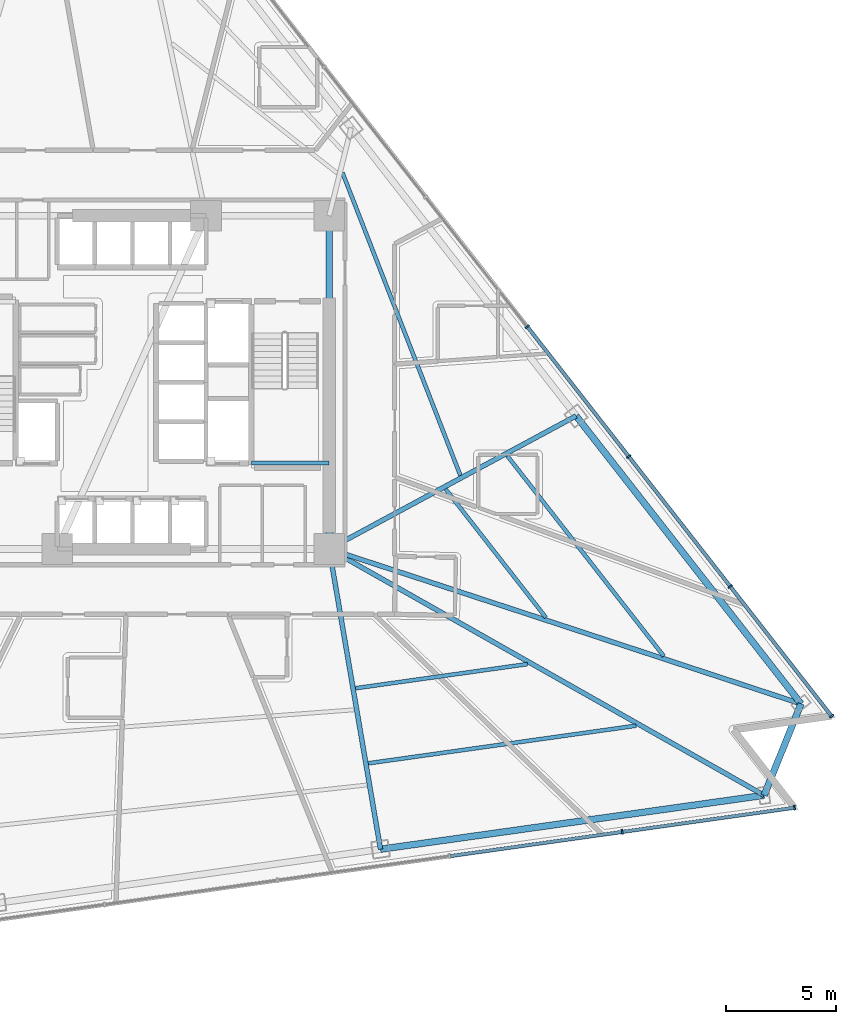
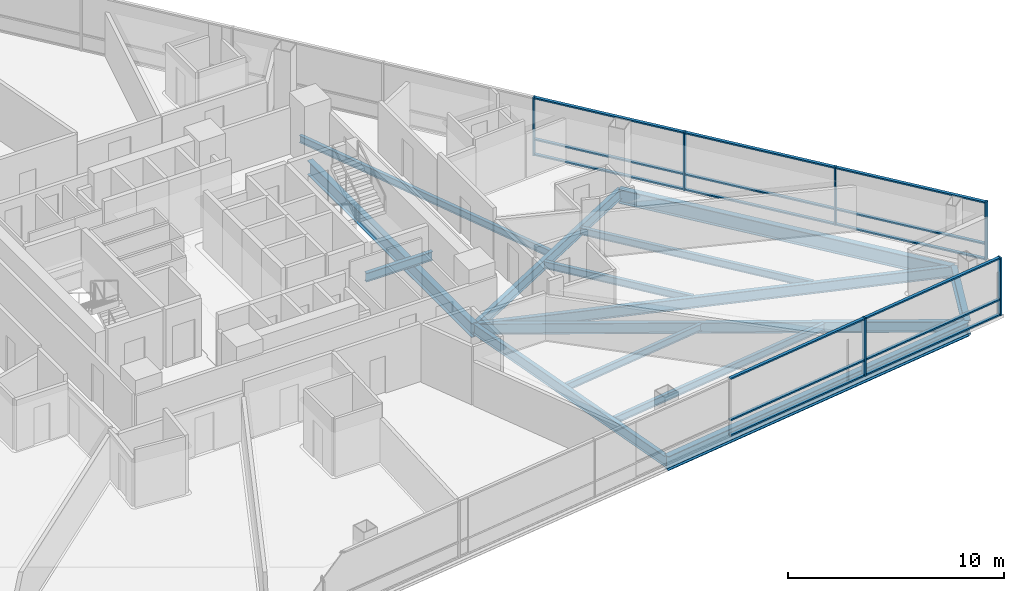
# One storey, part 4 of 16: 21 members, 14 beams, 2 elements without a shape of their own.
"""IFC4 building model written with IfcOpenShell, lengths in metres."""

from ifc_helpers import new_model, si_unit, direction, frame, origin, origin_2d, place, context, subcontext, project, spatial, rectangle, i_section, extrude, material, layer, layer_set, material_profile, profile_set, type_object, element, aggregate, save


model = new_model("IFC4")

# Units and contexts
model_context = context("Model", 3, precision=1e-05, world=origin(), true_north=direction((0.0, 1.0)))
body_context = subcontext(model_context, "Body", "Model", "MODEL_VIEW")
ifc_project = project(units=[si_unit("LENGTHUNIT", "METRE"), si_unit("AREAUNIT", "SQUARE_METRE"), si_unit("VOLUMEUNIT", "CUBIC_METRE"), si_unit("PLANEANGLEUNIT", "RADIAN"), si_unit("MASSUNIT", "GRAM", prefix="KILO")], contexts=[model_context])

# Site, building, storey
site_placement = place(None, origin())
site = spatial("IfcSite", under=ifc_project, at=site_placement, CompositionType="ELEMENT")
building_placement = place(site_placement, origin())
building = spatial("IfcBuilding", under=site, at=building_placement, Name="Tharavind Bronze Gate", CompositionType="ELEMENT")
storey_placement = place(building_placement, frame((0.0, 0.0, 70.75)))
storey = spatial("IfcBuildingStorey", under=building, at=storey_placement, Name="L17", CompositionType="ELEMENT", Elevation=70.75)

# Curtain wall, members
ifc_material_1 = material(Name="Anodised Bronze Aluminium", Category="aluminium")
ifc_layer = layer(ifc_material_1, 0.219970703125)
ifc_layer_set = layer_set([ifc_layer], Name="Anodised Bronze Aluminium")
curtain_wall_type = type_object("IfcCurtainWallType", Name="UNITISED CURTAIN WALL HOTEL", PredefinedType="USERDEFINED", material=ifc_layer_set)
curtain_wall_1_placement = place(storey_placement, origin())
curtain_wall_1 = element("IfcCurtainWall", 1, at=curtain_wall_1_placement, inside=storey, type_object=curtain_wall_type, Name="L17 unitised curtain wall hotel CW-L17-S2", ObjectType="UNITISED CURTAIN WALL", PredefinedType="USERDEFINED")
member_type_1 = type_object("IfcMemberType", Name="CURTAIN WALL MULLION 80X220", PredefinedType="MULLION", material=ifc_material_1)
member_1_placement = place(storey_placement, frame((22.261474609375, -20.504638671875, 0.0), z_axis=(0.0, 0.0, 1.0), x_axis=(0.990268068742, 0.13917310096, 0.0)))
member_1 = element("IfcMember", 2, at=member_1_placement, type_object=member_type_1, Name="CW-L17-S2 mullion 7", PredefinedType="MULLION", context=body_context, shape_type="SweptSolid", body=[
    extrude(rectangle(XDim=0.080078125, YDim=0.219970703125, at=origin_2d()), origin(), (0.0, 0.0, 1.0), 3.27490234375),
])
member_2_placement = place(storey_placement, frame((30.127685546875, -19.399169921875, 0.0), z_axis=(0.0, 0.0, 1.0), x_axis=(0.990268068742, 0.13917310096, 0.0)))
member_2 = element("IfcMember", 3, at=member_2_placement, type_object=member_type_1, Name="CW-L17-S2 mullion 8", PredefinedType="MULLION", context=body_context, shape_type="SweptSolid", body=[
    extrude(rectangle(XDim=0.080078125, YDim=0.219970703125, at=origin_2d()), origin(), (0.0, 0.0, 1.0), 3.27490234375),
])

curtain_wall_2_placement = place(storey_placement, origin())
curtain_wall_2 = element("IfcCurtainWall", 4, at=curtain_wall_2_placement, inside=storey, type_object=curtain_wall_type, Name="L17 unitised curtain wall hotel CW-L17-S3", ObjectType="UNITISED CURTAIN WALL", PredefinedType="USERDEFINED")
member_3_placement = place(storey_placement, frame((31.8134765625, -15.226806640625, 0.0), z_axis=(0.0, 0.0, 1.0), x_axis=(-0.615661475326, 0.788010753607, 0.0)))
member_3 = element("IfcMember", 5, at=member_3_placement, type_object=member_type_1, Name="CW-L17-S3 mullion 1", PredefinedType="MULLION", context=body_context, shape_type="SweptSolid", body=[
    extrude(rectangle(XDim=0.080078125, YDim=0.219970703125, at=origin_2d()), origin(), (0.0, 0.0, 1.0), 3.27490234375),
])
member_4_placement = place(storey_placement, frame((27.186767578125, -9.3046875, 0.0), z_axis=(0.0, 0.0, 1.0), x_axis=(-0.615661475326, 0.788010753607, 0.0)))
member_4 = element("IfcMember", 6, at=member_4_placement, type_object=member_type_1, Name="CW-L17-S3 mullion 2", PredefinedType="MULLION", context=body_context, shape_type="SweptSolid", body=[
    extrude(rectangle(XDim=0.080078125, YDim=0.219970703125, at=origin_2d()), origin(), (0.0, 0.0, 1.0), 3.27490234375),
])
member_5_placement = place(storey_placement, frame((22.56005859375, -3.3828125, 0.0), z_axis=(0.0, 0.0, 1.0), x_axis=(-0.615661475326, 0.788010753607, 0.0)))
member_5 = element("IfcMember", 7, at=member_5_placement, type_object=member_type_1, Name="CW-L17-S3 mullion 3", PredefinedType="MULLION", context=body_context, shape_type="SweptSolid", body=[
    extrude(rectangle(XDim=0.080078125, YDim=0.219970703125, at=origin_2d()), origin(), (0.0, 0.0, 1.0), 3.27490234375),
])
member_6_placement = place(storey_placement, frame((17.933349609375, 2.5390625, 0.0), z_axis=(0.0, 0.0, 1.0), x_axis=(-0.615661475326, 0.788010753607, 0.0)))
member_6 = element("IfcMember", 8, at=member_6_placement, type_object=member_type_1, Name="CW-L17-S3 mullion 4", PredefinedType="MULLION", context=body_context, shape_type="SweptSolid", body=[
    extrude(rectangle(XDim=0.080078125, YDim=0.219970703125, at=origin_2d()), origin(), (0.0, 0.0, 1.0), 3.27490234375),
])

# Member
member_type_2 = type_object("IfcMemberType", Name="CURTAIN WALL TRANSOM 80X160", PredefinedType="USERDEFINED", material=ifc_material_1)
member_7_placement = place(storey_placement, frame((18.328369140625, -21.057373046875, 0.0), z_axis=(0.0, 0.0, 1.0), x_axis=(0.990268068742, 0.13917310096, 0.0)))
member_7 = element("IfcMember", 9, at=member_7_placement, type_object=member_type_2, Name="CW-L17-S2 transom TB6", ObjectType="TRANSOM", PredefinedType="USERDEFINED", context=body_context, shape_type="SweptSolid", body=[
    extrude(rectangle(XDim=7.87548828125, YDim=0.159912109375, at=origin_2d()), origin(), (0.0, 0.0, 1.0), 0.080078125),
])

member_8_placement = place(storey_placement, frame((18.328369140625, -21.057373046875, 0.85986328125), z_axis=(0.0, 0.0, 1.0), x_axis=(0.990268068742, 0.13917310096, 0.0)))
member_8 = element("IfcMember", 10, at=member_8_placement, type_object=member_type_2, Name="CW-L17-S2 transom TS6", ObjectType="TRANSOM", PredefinedType="USERDEFINED", context=body_context, shape_type="SweptSolid", body=[
    extrude(rectangle(XDim=7.87548828125, YDim=0.159912109375, at=origin_2d()), origin(), (0.0, 0.0, 1.0), 0.080078125),
])

member_9_placement = place(storey_placement, frame((18.328369140625, -21.057373046875, 3.195068359375), z_axis=(0.0, 0.0, 1.0), x_axis=(0.990268068742, 0.13917310096, 0.0)))
member_9 = element("IfcMember", 11, at=member_9_placement, type_object=member_type_2, Name="CW-L17-S2 transom TT6", ObjectType="TRANSOM", PredefinedType="USERDEFINED", context=body_context, shape_type="SweptSolid", body=[
    extrude(rectangle(XDim=7.87548828125, YDim=0.159912109375, at=origin_2d()), origin(), (0.0, 0.0, 1.0), 0.080078125),
])

member_10_placement = place(storey_placement, frame((26.194580078125, -19.951904296875, 0.0), z_axis=(0.0, 0.0, 1.0), x_axis=(0.990268068742, 0.13917310096, 0.0)))
member_10 = element("IfcMember", 12, at=member_10_placement, type_object=member_type_2, Name="CW-L17-S2 transom TB7", ObjectType="TRANSOM", PredefinedType="USERDEFINED", context=body_context, shape_type="SweptSolid", body=[
    extrude(rectangle(XDim=7.87548828125, YDim=0.159912109375, at=origin_2d()), origin(), (0.0, 0.0, 1.0), 0.080078125),
])

member_11_placement = place(storey_placement, frame((26.194580078125, -19.951904296875, 0.85986328125), z_axis=(0.0, 0.0, 1.0), x_axis=(0.990268068742, 0.13917310096, 0.0)))
member_11 = element("IfcMember", 13, at=member_11_placement, type_object=member_type_2, Name="CW-L17-S2 transom TS7", ObjectType="TRANSOM", PredefinedType="USERDEFINED", context=body_context, shape_type="SweptSolid", body=[
    extrude(rectangle(XDim=7.87548828125, YDim=0.159912109375, at=origin_2d()), origin(), (0.0, 0.0, 1.0), 0.080078125),
])

member_12_placement = place(storey_placement, frame((26.194580078125, -19.951904296875, 3.195068359375), z_axis=(0.0, 0.0, 1.0), x_axis=(0.990268068742, 0.13917310096, 0.0)))
member_12 = element("IfcMember", 14, at=member_12_placement, type_object=member_type_2, Name="CW-L17-S2 transom TT7", ObjectType="TRANSOM", PredefinedType="USERDEFINED", context=body_context, shape_type="SweptSolid", body=[
    extrude(rectangle(XDim=7.87548828125, YDim=0.159912109375, at=origin_2d()), origin(), (0.0, 0.0, 1.0), 0.080078125),
])

aggregate(curtain_wall_1, [member_1, member_2, member_7, member_8, member_9, member_10, member_11, member_12])

member_13_placement = place(storey_placement, frame((29.5, -12.265869140625, 0.0), z_axis=(0.0, 0.0, 1.0), x_axis=(-0.615661475326, 0.788010753607, 0.0)))
member_13 = element("IfcMember", 15, at=member_13_placement, type_object=member_type_2, Name="CW-L17-S3 transom TB1", ObjectType="TRANSOM", PredefinedType="USERDEFINED", context=body_context, shape_type="SweptSolid", body=[
    extrude(rectangle(XDim=7.447021484375, YDim=0.159912109375, at=origin_2d()), origin(), (0.0, 0.0, 1.0), 0.080078125),
])

member_14_placement = place(storey_placement, frame((29.5, -12.265869140625, 0.85986328125), z_axis=(0.0, 0.0, 1.0), x_axis=(-0.615661475326, 0.788010753607, 0.0)))
member_14 = element("IfcMember", 16, at=member_14_placement, type_object=member_type_2, Name="CW-L17-S3 transom TS1", ObjectType="TRANSOM", PredefinedType="USERDEFINED", context=body_context, shape_type="SweptSolid", body=[
    extrude(rectangle(XDim=7.447021484375, YDim=0.159912109375, at=origin_2d()), origin(), (0.0, 0.0, 1.0), 0.080078125),
])

member_15_placement = place(storey_placement, frame((29.5, -12.265869140625, 3.195068359375), z_axis=(0.0, 0.0, 1.0), x_axis=(-0.615661475326, 0.788010753607, 0.0)))
member_15 = element("IfcMember", 17, at=member_15_placement, type_object=member_type_2, Name="CW-L17-S3 transom TT1", ObjectType="TRANSOM", PredefinedType="USERDEFINED", context=body_context, shape_type="SweptSolid", body=[
    extrude(rectangle(XDim=7.447021484375, YDim=0.159912109375, at=origin_2d()), origin(), (0.0, 0.0, 1.0), 0.080078125),
])

member_16_placement = place(storey_placement, frame((24.873291015625, -6.343994140625, 0.0), z_axis=(0.0, 0.0, 1.0), x_axis=(-0.615661475326, 0.788010753607, 0.0)))
member_16 = element("IfcMember", 18, at=member_16_placement, type_object=member_type_2, Name="CW-L17-S3 transom TB2", ObjectType="TRANSOM", PredefinedType="USERDEFINED", context=body_context, shape_type="SweptSolid", body=[
    extrude(rectangle(XDim=7.447021484375, YDim=0.159912109375, at=origin_2d()), origin(), (0.0, 0.0, 1.0), 0.080078125),
])

member_17_placement = place(storey_placement, frame((24.873291015625, -6.343994140625, 0.85986328125), z_axis=(0.0, 0.0, 1.0), x_axis=(-0.615661475326, 0.788010753607, 0.0)))
member_17 = element("IfcMember", 19, at=member_17_placement, type_object=member_type_2, Name="CW-L17-S3 transom TS2", ObjectType="TRANSOM", PredefinedType="USERDEFINED", context=body_context, shape_type="SweptSolid", body=[
    extrude(rectangle(XDim=7.447021484375, YDim=0.159912109375, at=origin_2d()), origin(), (0.0, 0.0, 1.0), 0.080078125),
])

member_18_placement = place(storey_placement, frame((24.873291015625, -6.343994140625, 3.195068359375), z_axis=(0.0, 0.0, 1.0), x_axis=(-0.615661475326, 0.788010753607, 0.0)))
member_18 = element("IfcMember", 20, at=member_18_placement, type_object=member_type_2, Name="CW-L17-S3 transom TT2", ObjectType="TRANSOM", PredefinedType="USERDEFINED", context=body_context, shape_type="SweptSolid", body=[
    extrude(rectangle(XDim=7.447021484375, YDim=0.159912109375, at=origin_2d()), origin(), (0.0, 0.0, 1.0), 0.080078125),
])

member_19_placement = place(storey_placement, frame((20.24658203125, -0.421875, 0.0), z_axis=(0.0, 0.0, 1.0), x_axis=(-0.615661475326, 0.788010753607, 0.0)))
member_19 = element("IfcMember", 21, at=member_19_placement, type_object=member_type_2, Name="CW-L17-S3 transom TB3", ObjectType="TRANSOM", PredefinedType="USERDEFINED", context=body_context, shape_type="SweptSolid", body=[
    extrude(rectangle(XDim=7.447021484375, YDim=0.159912109375, at=origin_2d()), origin(), (0.0, 0.0, 1.0), 0.080078125),
])

member_20_placement = place(storey_placement, frame((20.24658203125, -0.421875, 0.85986328125), z_axis=(0.0, 0.0, 1.0), x_axis=(-0.615661475326, 0.788010753607, 0.0)))
member_20 = element("IfcMember", 22, at=member_20_placement, type_object=member_type_2, Name="CW-L17-S3 transom TS3", ObjectType="TRANSOM", PredefinedType="USERDEFINED", context=body_context, shape_type="SweptSolid", body=[
    extrude(rectangle(XDim=7.447021484375, YDim=0.159912109375, at=origin_2d()), origin(), (0.0, 0.0, 1.0), 0.080078125),
])

member_21_placement = place(storey_placement, frame((20.24658203125, -0.421875, 3.195068359375), z_axis=(0.0, 0.0, 1.0), x_axis=(-0.615661475326, 0.788010753607, 0.0)))
member_21 = element("IfcMember", 23, at=member_21_placement, type_object=member_type_2, Name="CW-L17-S3 transom TT3", ObjectType="TRANSOM", PredefinedType="USERDEFINED", context=body_context, shape_type="SweptSolid", body=[
    extrude(rectangle(XDim=7.447021484375, YDim=0.159912109375, at=origin_2d()), origin(), (0.0, 0.0, 1.0), 0.080078125),
])

aggregate(curtain_wall_2, [member_3, member_4, member_5, member_6, member_13, member_14, member_15, member_16, member_17, member_18, member_19, member_20, member_21])

# Beams
ifc_material_2 = material(Name="Steel S355", Category="steel")
ifc_material_profile_1 = material_profile(ifc_material_2, i_section(OverallWidth=0.199951171875, OverallDepth=0.5, WebThickness=0.01025390625, FlangeThickness=0.01611328125, at=origin_2d()), Name="IPE500")
ifc_profile_set_1 = profile_set([ifc_material_profile_1], Name="Steel S355")
beam_type_1 = type_object("IfcBeamType", Name="PRIMARY GIRDER IPE500", PredefinedType="USERDEFINED", material=ifc_profile_set_1)
beam_1_placement = place(storey_placement, frame((5.35009765625, -3.679931640625, 1.27490234375), z_axis=(1.0, 0.0, 0.0), x_axis=(0.0, 1.0, 0.0)))
element("IfcBeam", 24, at=beam_1_placement, inside=storey, type_object=beam_type_1, Name="L17 primary girder ipe500 BM-LD-ST2-L17-1", ObjectType="GIRDER", PredefinedType="USERDEFINED", context=body_context, shape_type="SweptSolid", body=[
    extrude(i_section(OverallWidth=0.199951171875, OverallDepth=0.5, WebThickness=0.01025390625, FlangeThickness=0.01611328125, at=origin_2d()), origin(), (0.0, 0.0, 1.0), 3.5498046875),
])
ifc_material_profile_2 = material_profile(ifc_material_2, i_section(OverallWidth=0.219970703125, OverallDepth=0.60009765625, WebThickness=0.011962890625, FlangeThickness=0.01904296875, at=origin_2d()), Name="IPE600")
ifc_profile_set_2 = profile_set([ifc_material_profile_2], Name="Steel S355")
beam_type_2 = type_object("IfcBeamType", Name="PRIMARY GIRDER IPE600", PredefinedType="USERDEFINED", material=ifc_profile_set_2)
beam_2_placement = place(storey_placement, frame((11.23974609375, -21.29638671875, -0.47509765625), z_axis=(-0.168398067653, 0.985719072967, 0.0), x_axis=(-0.985719072967, -0.168398067653, 0.0)))
element("IfcBeam", 25, at=beam_2_placement, inside=storey, type_object=beam_type_2, Name="L17 primary girder ipe600 BM-L17-RAD07", ObjectType="GIRDER", PredefinedType="USERDEFINED", context=body_context, shape_type="SweptSolid", body=[
    extrude(i_section(OverallWidth=0.219970703125, OverallDepth=0.60009765625, WebThickness=0.011962890625, FlangeThickness=0.01904296875, at=origin_2d()), origin(), (0.0, 0.0, 1.0), 13.894775390625),
])
beam_3_placement = place(storey_placement, frame((28.737060546875, -18.837158203125, -0.47509765625), z_axis=(-0.870097351351, 0.492879903396, 0.0), x_axis=(-0.492879903396, -0.870097351351, 0.0)))
element("IfcBeam", 26, at=beam_3_placement, inside=storey, type_object=beam_type_2, Name="L17 primary girder ipe600 BM-L17-RAD08", ObjectType="GIRDER", PredefinedType="USERDEFINED", context=body_context, shape_type="SweptSolid", body=[
    extrude(i_section(OverallWidth=0.219970703125, OverallDepth=0.60009765625, WebThickness=0.011962890625, FlangeThickness=0.01904296875, at=origin_2d()), origin(), (0.0, 0.0, 1.0), 22.798828125),
])
beam_4_placement = place(storey_placement, frame((30.422607421875, -14.664794921875, -0.47509765625), z_axis=(-0.950123985447, 0.311872429494, 0.0), x_axis=(-0.311872429494, -0.950123985447, 0.0)))
element("IfcBeam", 27, at=beam_4_placement, inside=storey, type_object=beam_type_2, Name="L17 primary girder ipe600 BM-L17-RAD09", ObjectType="GIRDER", PredefinedType="USERDEFINED", context=body_context, shape_type="SweptSolid", body=[
    extrude(i_section(OverallWidth=0.219970703125, OverallDepth=0.60009765625, WebThickness=0.011962890625, FlangeThickness=0.01904296875, at=origin_2d()), origin(), (0.0, 0.0, 1.0), 22.652587890625),
])
beam_5_placement = place(storey_placement, frame((20.16015625, -1.529296875, -0.47509765625), z_axis=(-0.880223404357, -0.474559541493, 0.0), x_axis=(0.474559541493, -0.880223404357, 0.0)))
element("IfcBeam", 28, at=beam_5_placement, inside=storey, type_object=beam_type_2, Name="L17 primary girder ipe600 BM-L17-RAD10", ObjectType="GIRDER", PredefinedType="USERDEFINED", context=body_context, shape_type="SweptSolid", body=[
    extrude(i_section(OverallWidth=0.219970703125, OverallDepth=0.60009765625, WebThickness=0.011962890625, FlangeThickness=0.01904296875, at=origin_2d()), origin(), (0.0, 0.0, 1.0), 12.79248046875),
])
ifc_material_profile_3 = material_profile(ifc_material_2, i_section(OverallWidth=0.300048828125, OverallDepth=0.800048828125, WebThickness=0.017578125, FlangeThickness=0.032958984375, at=origin_2d()), Name="HE800B")
ifc_profile_set_3 = profile_set([ifc_material_profile_3], Name="Steel S355")
beam_type_3 = type_object("IfcBeamType", Name="RING GIRDER HE800B", PredefinedType="USERDEFINED", material=ifc_profile_set_3)
beam_6_placement = place(storey_placement, frame((8.89990234375, -7.60009765625, -0.574951171875), z_axis=(0.0, 1.0, 0.0), x_axis=(-1.0, 0.0, 0.0)))
element("IfcBeam", 29, at=beam_6_placement, inside=storey, type_object=beam_type_3, Name="L17 ring girder he800b BM-L17-CR3", ObjectType="GIRDER", PredefinedType="USERDEFINED", context=body_context, shape_type="SweptSolid", body=[
    extrude(i_section(OverallWidth=0.300048828125, OverallDepth=0.800048828125, WebThickness=0.017578125, FlangeThickness=0.032958984375, at=origin_2d()), origin(), (0.0, 0.0, 1.0), 15.2001953125),
])
beam_7_placement = place(storey_placement, frame((11.23974609375, -21.29638671875, -0.574951171875), z_axis=(0.990266966294, 0.13918094506, 0.0), x_axis=(-0.13918094506, 0.990266966294, 0.0)))
element("IfcBeam", 30, at=beam_7_placement, inside=storey, type_object=beam_type_3, Name="L17 ring girder he800b BM-L17-PRG07", ObjectType="GIRDER", PredefinedType="USERDEFINED", context=body_context, shape_type="SweptSolid", body=[
    extrude(i_section(OverallWidth=0.300048828125, OverallDepth=0.800048828125, WebThickness=0.017578125, FlangeThickness=0.032958984375, at=origin_2d()), origin(), (0.0, 0.0, 1.0), 17.669189453125),
])
beam_8_placement = place(storey_placement, frame((28.737060546875, -18.837158203125, -0.574951171875), z_axis=(0.374568898324, 0.927199083481, 0.0), x_axis=(-0.927199083481, 0.374568898324, 0.0)))
element("IfcBeam", 31, at=beam_8_placement, inside=storey, type_object=beam_type_3, Name="L17 ring girder he800b BM-L17-PRG08", ObjectType="GIRDER", PredefinedType="USERDEFINED", context=body_context, shape_type="SweptSolid", body=[
    extrude(i_section(OverallWidth=0.300048828125, OverallDepth=0.800048828125, WebThickness=0.017578125, FlangeThickness=0.032958984375, at=origin_2d()), origin(), (0.0, 0.0, 1.0), 4.5),
])
beam_9_placement = place(storey_placement, frame((30.422607421875, -14.664794921875, -0.574951171875), z_axis=(-0.61565683186, 0.788014381458, 0.0), x_axis=(-0.788014381458, -0.61565683186, 0.0)))
element("IfcBeam", 32, at=beam_9_placement, inside=storey, type_object=beam_type_3, Name="L17 ring girder he800b BM-L17-PRG09", ObjectType="GIRDER", PredefinedType="USERDEFINED", context=body_context, shape_type="SweptSolid", body=[
    extrude(i_section(OverallWidth=0.300048828125, OverallDepth=0.800048828125, WebThickness=0.017578125, FlangeThickness=0.032958984375, at=origin_2d()), origin(), (0.0, 0.0, 1.0), 16.669189453125),
])
ifc_material_profile_4 = material_profile(ifc_material_2, i_section(OverallWidth=0.179931640625, OverallDepth=0.39990234375, WebThickness=0.008544921875, FlangeThickness=0.013427734375, at=origin_2d()), Name="IPE400")
ifc_profile_set_4 = profile_set([ifc_material_profile_4], Name="Steel S355")
beam_type_4 = type_object("IfcBeamType", Name="SECONDARY FLOOR JOIST IPE400", PredefinedType="JOIST", material=ifc_profile_set_4)
beam_10_placement = place(storey_placement, frame((10.100830078125, -13.952880859375, -0.375), z_axis=(0.990270061331, 0.13915892221, 0.0), x_axis=(-0.13915892221, 0.990270061331, 0.0)))
element("IfcBeam", 33, at=beam_10_placement, inside=storey, type_object=beam_type_4, Name="L17 secondary floor joist ipe400 BM-L17-JSTA07", PredefinedType="JOIST", context=body_context, shape_type="SweptSolid", body=[
    extrude(i_section(OverallWidth=0.179931640625, OverallDepth=0.39990234375, WebThickness=0.008544921875, FlangeThickness=0.013427734375, at=origin_2d()), origin(), (0.0, 0.0, 1.0), 7.917724609375),
])
beam_11_placement = place(storey_placement, frame((10.685791015625, -17.376953125, -0.375), z_axis=(0.990269539088, 0.139162638498, 0.0), x_axis=(-0.139162638498, 0.990269539088, 0.0)))
element("IfcBeam", 34, at=beam_11_placement, inside=storey, type_object=beam_type_4, Name="L17 secondary floor joist ipe400 BM-L17-JSTB07", PredefinedType="JOIST", context=body_context, shape_type="SweptSolid", body=[
    extrude(i_section(OverallWidth=0.179931640625, OverallDepth=0.39990234375, WebThickness=0.008544921875, FlangeThickness=0.013427734375, at=origin_2d()), origin(), (0.0, 0.0, 1.0), 12.3349609375),
])
beam_12_placement = place(storey_placement, frame((18.783935546875, -10.726318359375, -0.375), z_axis=(-0.615658063003, 0.788013419593, 0.0), x_axis=(-0.788013419593, -0.615658063003, 0.0)))
element("IfcBeam", 35, at=beam_12_placement, inside=storey, type_object=beam_type_4, Name="L17 secondary floor joist ipe400 BM-L17-JSTA09", PredefinedType="JOIST", context=body_context, shape_type="SweptSolid", body=[
    extrude(i_section(OverallWidth=0.179931640625, OverallDepth=0.39990234375, WebThickness=0.008544921875, FlangeThickness=0.013427734375, at=origin_2d()), origin(), (0.0, 0.0, 1.0), 7.433837890625),
])
beam_13_placement = place(storey_placement, frame((24.16455078125, -12.492431640625, -0.375), z_axis=(-0.61565833532, 0.788013206838, 0.0), x_axis=(-0.788013206838, -0.61565833532, 0.0)))
element("IfcBeam", 36, at=beam_13_placement, inside=storey, type_object=beam_type_4, Name="L17 secondary floor joist ipe400 BM-L17-JSTB09", PredefinedType="JOIST", context=body_context, shape_type="SweptSolid", body=[
    extrude(i_section(OverallWidth=0.179931640625, OverallDepth=0.39990234375, WebThickness=0.008544921875, FlangeThickness=0.013427734375, at=origin_2d()), origin(), (0.0, 0.0, 1.0), 11.60107421875),
])
beam_14_placement = place(storey_placement, frame((14.882568359375, -4.2451171875, -0.375), z_axis=(-0.362958255352, 0.931805400753, 0.0), x_axis=(-0.931805400753, -0.362958255352, 0.0)))
element("IfcBeam", 37, at=beam_14_placement, inside=storey, type_object=beam_type_4, Name="L17 secondary floor joist ipe400 BM-L17-JSTA10", PredefinedType="JOIST", context=body_context, shape_type="SweptSolid", body=[
    extrude(i_section(OverallWidth=0.179931640625, OverallDepth=0.39990234375, WebThickness=0.008544921875, FlangeThickness=0.013427734375, at=origin_2d()), origin(), (0.0, 0.0, 1.0), 14.817626953125),
])

save(model, "model.ifc")
